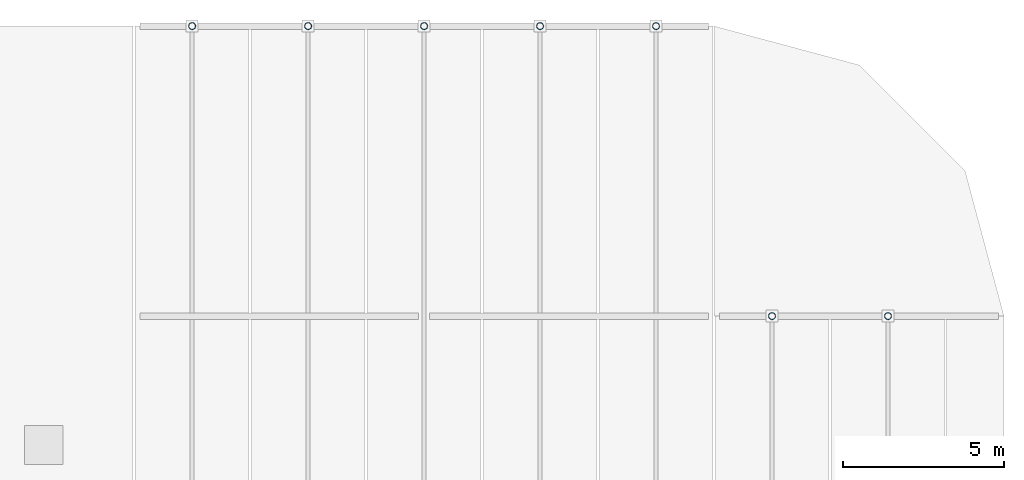
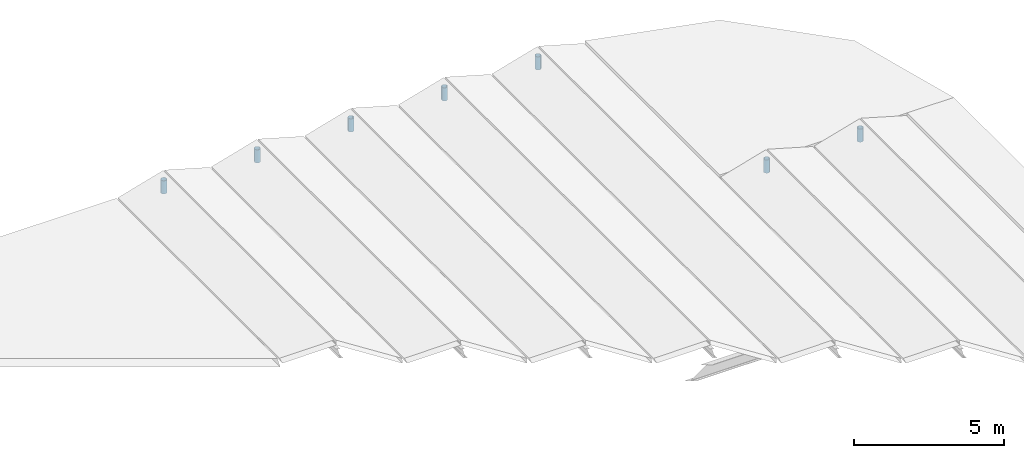
# One storey, part 4 of 6: 7 members.
"""IFC4 building model written with IfcOpenShell, lengths in metres."""

from ifc_helpers import new_model, si_unit, direction, frame, origin, origin_2d, place, context, subcontext, project, spatial, hollow_circle, extrude, material, material_profile, profile_set, type_object, element, save


model = new_model("IFC4")

# Units and contexts
model_context = context("Model", 3, precision=1e-05, world=origin(), true_north=direction((0.0, 1.0)))
body_context = subcontext(model_context, "Body", "Model", "MODEL_VIEW")
ifc_project = project(units=[si_unit("LENGTHUNIT", "METRE"), si_unit("AREAUNIT", "SQUARE_METRE"), si_unit("VOLUMEUNIT", "CUBIC_METRE"), si_unit("PLANEANGLEUNIT", "RADIAN"), si_unit("MASSUNIT", "GRAM", prefix="KILO")], contexts=[model_context])

# Site, building, storey
site_placement = place(None, origin())
site = spatial("IfcSite", under=ifc_project, at=site_placement, CompositionType="ELEMENT")
building_placement = place(site_placement, origin())
building = spatial("IfcBuilding", under=site, at=building_placement, Name="Suzunagisa Mobility Hub", CompositionType="ELEMENT")
storey_placement = place(building_placement, frame((0.0, 0.0, 30.300048828125)))
storey = spatial("IfcBuildingStorey", under=building, at=storey_placement, Name="Roof", CompositionType="ELEMENT", Elevation=30.300048828125)

# Members
ifc_material = material(Name="Steel SN400B", Category="steel")
ifc_material_profile = material_profile(ifc_material, hollow_circle(Radius=0.108154296875, WallThickness=0.00830078125, at=origin_2d()), Name="CHS-216.3x8.2")
ifc_profile_set = profile_set([ifc_material_profile], Name="Steel SN400B")
member_type = type_object("IfcMemberType", Name="Roof Truss and Brace Member MB-14 CHS-216.3x8.2", PredefinedType="POST", material=ifc_profile_set)
for number, where, z_axis, x_axis, name in (
    (1, (154.800048828125, 98.0, -0.394287109375), (0.0, 0.0, 1.0), (1.0, 0.0, 0.0), "Roof Sports Canopy King Post 1-98"),
    (2, (158.39990234375, 98.0, -0.394287109375), (0.0, 0.0, 1.0), (1.0, 0.0, 0.0), "Roof Sports Canopy King Post 2-98"),
    (3, (162.0, 98.0, -0.394287109375), (0.0, 0.0, 1.0), (1.0, 0.0, 0.0), "Roof Sports Canopy King Post 3-98"),
    (4, (165.60009765625, 98.0, -0.394287109375), (0.0, 0.0, 1.0), (1.0, 0.0, 0.0), "Roof Sports Canopy King Post 4-98"),
    (5, (169.199951171875, 98.0, -0.394287109375), (0.0, 0.0, 1.0), (1.0, 0.0, 0.0), "Roof Sports Canopy King Post 5-98"),
    (6, (172.800048828125, 89.0, -0.394287109375), (0.0, 0.0, 1.0), (1.0, 0.0, 0.0), "Roof Sports Canopy King Post 6-89"),
    (7, (176.39990234375, 89.0, -0.394287109375), (0.0, 0.0, 1.0), (1.0, 0.0, 0.0), "Roof Sports Canopy King Post 7-89"),
):
    element("IfcMember", number, at=place(storey_placement, frame(where, z_axis=z_axis, x_axis=x_axis)), inside=storey, type_object=member_type, Name=name, PredefinedType="POST", context=body_context, shape_type="SweptSolid", body=[
        extrude(hollow_circle(Radius=0.108154296875, WallThickness=0.00830078125, at=origin_2d()), origin(), (0.0, 0.0, 1.0), 0.533447265625),
    ])

save(model, "model.ifc")
